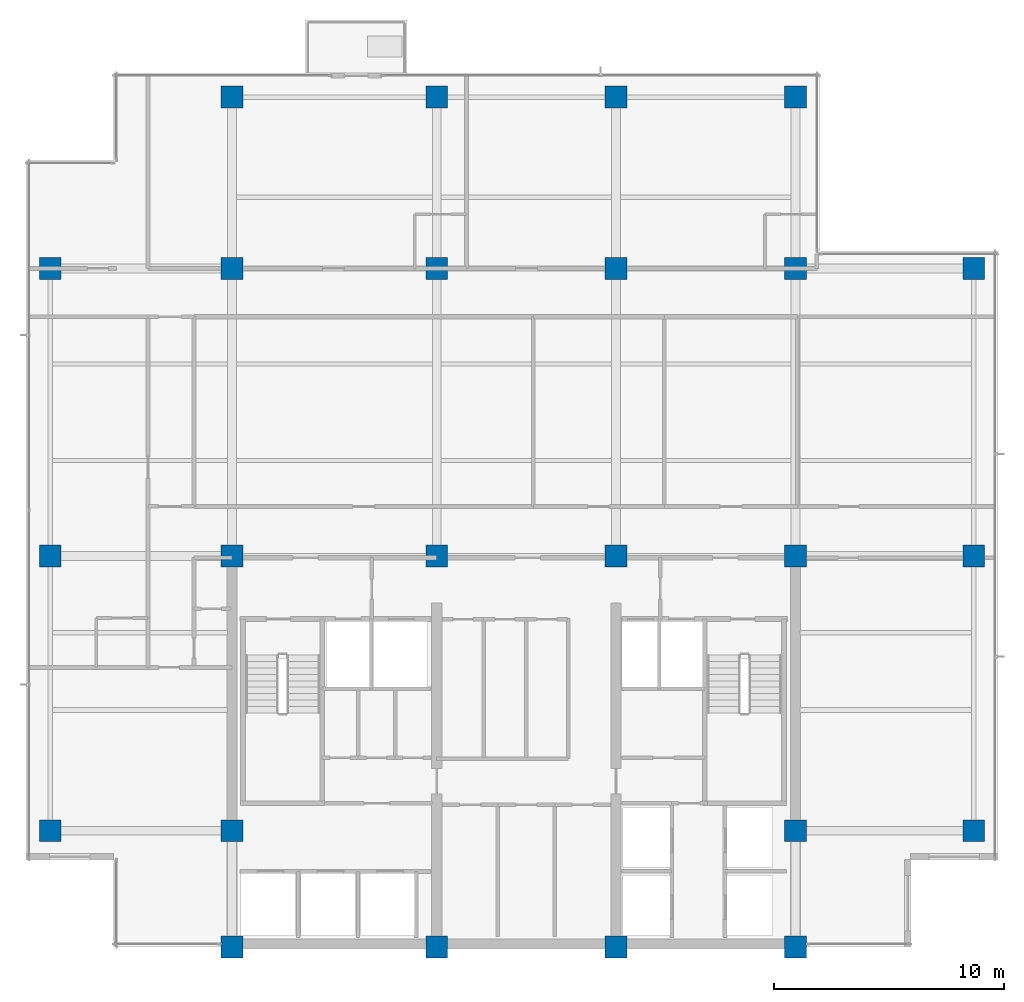
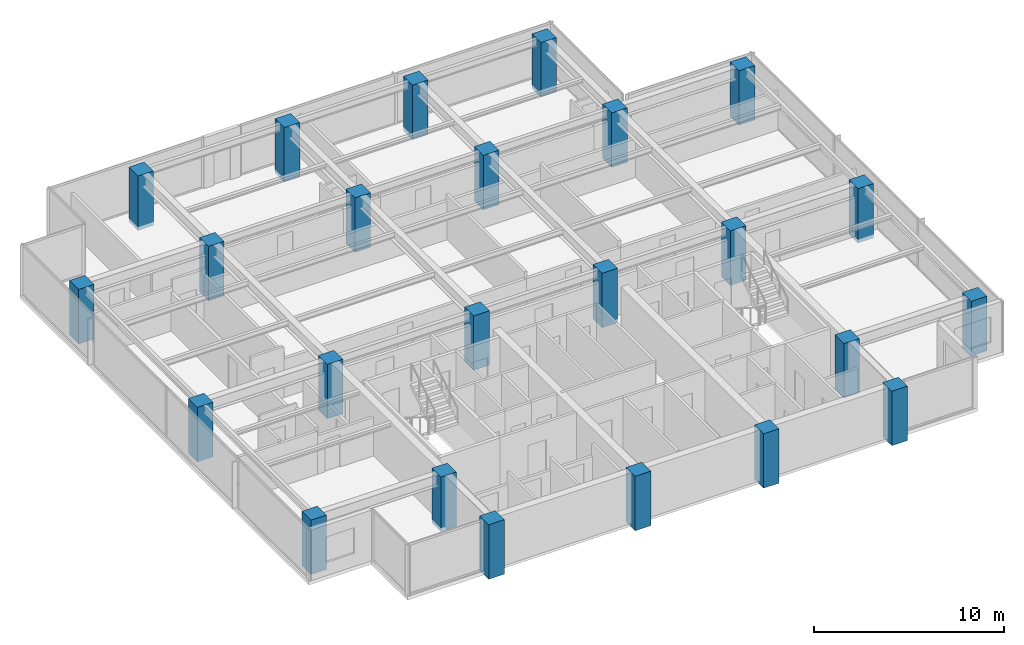
# One storey, part 1 of 14: 24 columns.
"""IFC4 building model written with IfcOpenShell, lengths in metres."""

from ifc_helpers import new_model, si_unit, direction, frame, origin, origin_2d, place, context, subcontext, project, spatial, rectangle, extrude, material, material_profile, profile_set, type_object, element, save


model = new_model("IFC4")

# Units and contexts
model_context = context("Model", 3, precision=1e-05, world=origin(), true_north=direction((0.0, 1.0)))
body_context = subcontext(model_context, "Body", "Model", "MODEL_VIEW")
ifc_project = project(units=[si_unit("LENGTHUNIT", "METRE"), si_unit("AREAUNIT", "SQUARE_METRE"), si_unit("VOLUMEUNIT", "CUBIC_METRE"), si_unit("PLANEANGLEUNIT", "RADIAN"), si_unit("MASSUNIT", "GRAM", prefix="KILO")], contexts=[model_context])

# Site, building, storey
site_placement = place(None, origin())
site = spatial("IfcSite", under=ifc_project, at=site_placement, CompositionType="ELEMENT")
building_placement = place(site_placement, origin())
building = spatial("IfcBuilding", under=site, at=building_placement, Name="Qalmaran Belvedere Hotel", CompositionType="ELEMENT")
storey_placement = place(building_placement, frame((0.0, 0.0, 224.89990234375)))
storey = spatial("IfcBuildingStorey", under=building, at=storey_placement, Name="L57", CompositionType="ELEMENT", Elevation=224.89990234375)

# Columns
ifc_material = material(Name="Concrete C50/60", Category="concrete")
ifc_material_profile = material_profile(ifc_material, rectangle(XDim=0.949951171875, YDim=0.949951171875, at=origin_2d()), Name="CC950X950")
ifc_profile_set = profile_set([ifc_material_profile], Name="Concrete C50/60")
column_type = type_object("IfcColumnType", Name="COL-Z4-CC950", PredefinedType="COLUMN", material=ifc_profile_set)
for number, where, z_axis, x_axis, name in (
    (1, (20.300048828125, 3.5, -0.239990234375), (0.0, 0.0, 1.0), (1.0, 0.0, 0.0), "L57 Column C4B"),
    (2, (29.199951171875, 3.5, -0.239990234375), (0.0, 0.0, 1.0), (1.0, 0.0, 0.0), "L57 Column C5B"),
    (3, (37.0, 3.5, -0.239990234375), (0.0, 0.0, 1.0), (1.0, 0.0, 0.0), "L57 Column C6B"),
    (4, (44.800048828125, 3.5, -0.239990234375), (0.0, 0.0, 1.0), (1.0, 0.0, 0.0), "L57 Column C7B"),
    (5, (20.300048828125, 8.550048828125, -0.239990234375), (0.0, 0.0, 1.0), (1.0, 0.0, 0.0), "L57 Column C4C"),
    (6, (44.800048828125, 8.550048828125, -0.239990234375), (0.0, 0.0, 1.0), (1.0, 0.0, 0.0), "L57 Column C7C"),
    (7, (20.300048828125, 20.5, -0.239990234375), (0.0, 0.0, 1.0), (1.0, 0.0, 0.0), "L57 Column C4D"),
    (8, (29.199951171875, 20.5, -0.239990234375), (0.0, 0.0, 1.0), (1.0, 0.0, 0.0), "L57 Column C5D"),
    (9, (37.0, 20.5, -0.239990234375), (0.0, 0.0, 1.0), (1.0, 0.0, 0.0), "L57 Column C6D"),
    (10, (44.800048828125, 20.5, -0.239990234375), (0.0, 0.0, 1.0), (1.0, 0.0, 0.0), "L57 Column C7D"),
    (11, (20.300048828125, 33.0, -0.239990234375), (0.0, 0.0, 1.0), (1.0, 0.0, 0.0), "L57 Column C4F"),
    (12, (29.199951171875, 33.0, -0.239990234375), (0.0, 0.0, 1.0), (1.0, 0.0, 0.0), "L57 Column C5F"),
    (13, (37.0, 33.0, -0.239990234375), (0.0, 0.0, 1.0), (1.0, 0.0, 0.0), "L57 Column C6F"),
    (14, (44.800048828125, 33.0, -0.239990234375), (0.0, 0.0, 1.0), (1.0, 0.0, 0.0), "L57 Column C7F"),
    (15, (12.39990234375, 8.550048828125, -0.239990234375), (0.0, 0.0, 1.0), (1.0, 0.0, 0.0), "L57 Column CW1"),
    (16, (12.39990234375, 20.5, -0.239990234375), (0.0, 0.0, 1.0), (1.0, 0.0, 0.0), "L57 Column CW3"),
    (17, (12.39990234375, 33.0, -0.239990234375), (0.0, 0.0, 1.0), (1.0, 0.0, 0.0), "L57 Column CW4"),
    (18, (52.550048828125, 8.550048828125, -0.239990234375), (0.0, 0.0, 1.0), (1.0, 0.0, 0.0), "L57 Column CE1"),
    (19, (52.550048828125, 20.5, -0.239990234375), (0.0, 0.0, 1.0), (1.0, 0.0, 0.0), "L57 Column CE3"),
    (20, (52.550048828125, 33.0, -0.239990234375), (0.0, 0.0, 1.0), (1.0, 0.0, 0.0), "L57 Column CE4"),
    (21, (20.300048828125, 40.449951171875, -0.239990234375), (0.0, 0.0, 1.0), (1.0, 0.0, 0.0), "L57 Column CN1"),
    (22, (29.199951171875, 40.449951171875, -0.239990234375), (0.0, 0.0, 1.0), (1.0, 0.0, 0.0), "L57 Column CN2"),
    (23, (37.0, 40.449951171875, -0.239990234375), (0.0, 0.0, 1.0), (1.0, 0.0, 0.0), "L57 Column CN3"),
    (24, (44.800048828125, 40.449951171875, -0.239990234375), (0.0, 0.0, 1.0), (1.0, 0.0, 0.0), "L57 Column CN4"),
):
    element("IfcColumn", number, at=place(storey_placement, frame(where, z_axis=z_axis, x_axis=x_axis)), inside=storey, type_object=column_type, Name=name, PredefinedType="COLUMN", context=body_context, shape_type="SweptSolid", body=[
        extrude(rectangle(XDim=0.949951171875, YDim=0.949951171875, at=origin_2d()), origin(), (0.0, 0.0, 1.0), 3.5),
    ])

save(model, "model.ifc")
